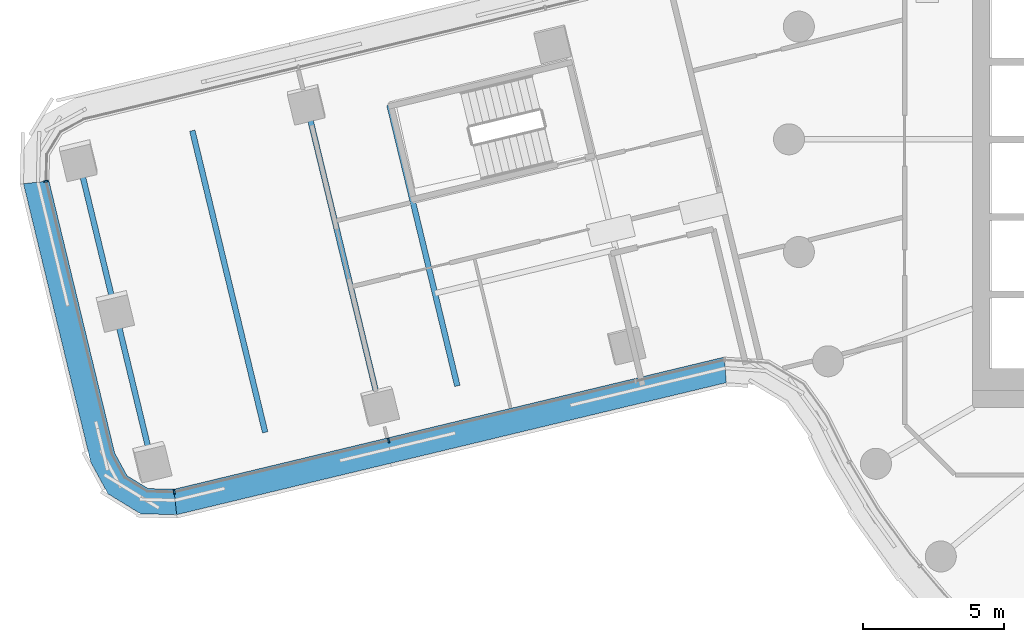
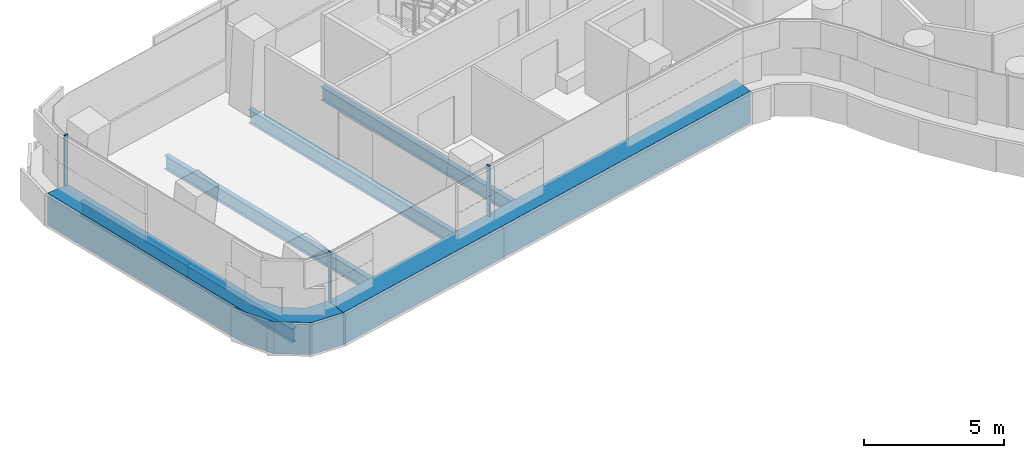
# One storey, part 4 of 33: 5 beams, 5 members, 2 elements without a shape of their own.
"""IFC4 building model written with IfcOpenShell, lengths in metres."""

import ifcopenshell
import ifcopenshell.guid

model = None  # the IFC model being written
_history = None  # IfcOwnerHistory: only IFC2X3 demands one
_inside = {}  # id of a spatial element -> (the spatial element, [elements in it])
_under = {}  # id of a project, library or spatial element -> (it, [spatial elements below it])
_declared = {}  # id of a project -> (the project, [libraries it declares])
_typed = {}  # id of a type object -> (the type object, [elements of that type])
_made_of = {}  # id of a material, layer set ... -> (it, [elements and type objects made of it])


def new_model(schema):
    """Start an empty IFC model of exactly this schema.

    Asked for "IFC4X3", IfcOpenShell would pick the latest addendum, in which some entities
    have other attributes; the version numbers below select the first issue.
    IFC2X3 requires an IfcOwnerHistory on every rooted entity: one is made here for all.
    """
    global model, _history
    if schema == "IFC4X3":
        model = ifcopenshell.file(schema_version=(4, 3, 0, 0))
    else:
        model = ifcopenshell.file(schema=schema)
    _inside.clear()
    _under.clear()
    _declared.clear()
    _typed.clear()
    _made_of.clear()
    _history = None
    if model.schema == "IFC2X3":
        org = make("IfcOrganization", Name="unknown")
        user = make(
            "IfcPersonAndOrganization",
            ThePerson=make("IfcPerson", FamilyName="unknown"),
            TheOrganization=org,
        )
        app = make(
            "IfcApplication",
            ApplicationDeveloper=org,
            Version="unknown",
            ApplicationFullName="unknown",
            ApplicationIdentifier="unknown",
        )
        _history = make(
            "IfcOwnerHistory",
            OwningUser=user,
            OwningApplication=app,
            ChangeAction="ADDED",
            CreationDate=0,
        )
    return model


def make(cls, **values):
    """One entity of the class cls with the attributes given. An attribute that is None is left unset."""
    return model.create_entity(
        cls, **{name: value for name, value in values.items() if value is not None}
    )


def rooted(cls, **values):
    """An entity with a GlobalId (a new one), such as an element, a storey or a relation."""
    return make(cls, GlobalId=ifcopenshell.guid.new(), OwnerHistory=_history, **values)


def si_unit(unit_type, name, prefix=None):
    """IfcSIUnit, for example si_unit("LENGTHUNIT", "METRE", prefix="MILLI")."""
    return make("IfcSIUnit", UnitType=unit_type, Prefix=prefix, Name=name)


def assignment(units):
    """IfcUnitAssignment: the units of a project."""
    return None if units is None else make("IfcUnitAssignment", Units=units)


def point(xyz):
    """IfcCartesianPoint."""
    return None if xyz is None else make("IfcCartesianPoint", Coordinates=xyz)


def direction(xyz):
    """IfcDirection."""
    return None if xyz is None else make("IfcDirection", DirectionRatios=xyz)


def frame(location, z_axis=None, x_axis=None):
    """IfcAxis2Placement3D, a coordinate frame: its origin and axes. An axis left out is left unset."""
    return make(
        "IfcAxis2Placement3D",
        Location=point(location),
        Axis=direction(z_axis),
        RefDirection=direction(x_axis),
    )


def frame_2d(location, x_axis=None):
    """IfcAxis2Placement2D, a coordinate frame in the plane: its origin and x axis."""
    return make(
        "IfcAxis2Placement2D", Location=point(location), RefDirection=direction(x_axis)
    )


def origin():
    """The frame at (0, 0, 0) with its axes left unset."""
    return frame((0.0, 0.0, 0.0))


def origin_2d():
    """The frame at (0, 0) in the plane with its x axis left unset."""
    return frame_2d((0.0, 0.0))


def place(relative_to, where):
    """IfcLocalPlacement: puts the frame where relative to a parent placement (None: the world)."""
    return make(
        "IfcLocalPlacement", PlacementRelTo=relative_to, RelativePlacement=where
    )


def context(
    kind, dimensions, precision=None, world=None, true_north=None, identifier=None
):
    """IfcGeometricRepresentationContext, for example the 3D "Model" context."""
    return make(
        "IfcGeometricRepresentationContext",
        ContextIdentifier=identifier,
        ContextType=kind,
        CoordinateSpaceDimension=dimensions,
        Precision=precision,
        WorldCoordinateSystem=world,
        TrueNorth=true_north,
    )


def subcontext(parent, identifier, kind, view, scale=None):
    """IfcGeometricRepresentationSubContext, for example "Body" below "Model"."""
    return make(
        "IfcGeometricRepresentationSubContext",
        ContextIdentifier=identifier,
        ContextType=kind,
        ParentContext=parent,
        TargetScale=scale,
        TargetView=view,
    )


def project(units=None, contexts=None):
    """IfcProject with its units and contexts."""
    return rooted(
        "IfcProject",
        Name="project",
        RepresentationContexts=contexts,
        UnitsInContext=assignment(units),
    )


def spatial(cls, under=None, at=None, **own):
    """A site, building, storey or space (cls), placed at a placement, below another one or the project."""
    s = rooted(cls, ObjectPlacement=at, **own)
    if under is not None:
        _under.setdefault(under.id(), (under, []))[1].append(s)
    return s


def polyline(points):
    """IfcPolyline through the points."""
    return make("IfcPolyline", Points=[point(p) for p in points])


def profile(cls, at=None, kind="AREA", **sizes):
    """A parametric profile (cls). Its sizes go by their IFC names, for example OverallWidth=200.0."""
    return make(cls, ProfileType=kind, Position=at, **sizes)


def rectangle(**sizes):
    """IfcRectangleProfileDef."""
    return profile("IfcRectangleProfileDef", **sizes)


def i_section(**sizes):
    """IfcIShapeProfileDef."""
    return profile("IfcIShapeProfileDef", **sizes)


def outline(outer, holes=None, kind="AREA"):
    """IfcArbitraryClosedProfileDef: a profile drawn as a closed curve; with holes, ...WithVoids."""
    if holes is None:
        return make("IfcArbitraryClosedProfileDef", ProfileType=kind, OuterCurve=outer)
    return make(
        "IfcArbitraryProfileDefWithVoids",
        ProfileType=kind,
        OuterCurve=outer,
        InnerCurves=holes,
    )


def extrude(swept, where, along, depth):
    """IfcExtrudedAreaSolid: the profile swept, set in the frame where, extruded along a direction by depth."""
    return make(
        "IfcExtrudedAreaSolid",
        SweptArea=swept,
        Position=where,
        ExtrudedDirection=direction(along),
        Depth=depth,
    )


def shape(context_of_items, identifier, shape_type, items):
    """IfcShapeRepresentation: the items that make up one representation, for example the "Body"."""
    return make(
        "IfcShapeRepresentation",
        ContextOfItems=context_of_items,
        RepresentationIdentifier=identifier,
        RepresentationType=shape_type,
        Items=items,
    )


def material(Name=None, Category=None):
    """IfcMaterial."""
    return make("IfcMaterial", Name=Name, Category=Category)


def layer(
    of_material, thickness, ventilated=None, Name=None, Category=None, Priority=None
):
    """IfcMaterialLayer: one layer of a wall or slab, of a material (None: an air gap)."""
    return make(
        "IfcMaterialLayer",
        Material=of_material,
        LayerThickness=thickness,
        IsVentilated=ventilated,
        Name=Name,
        Category=Category,
        Priority=Priority,
    )


def layer_set(layers, Name=None):
    """IfcMaterialLayerSet."""
    return make("IfcMaterialLayerSet", MaterialLayers=layers, LayerSetName=Name)


def material_profile(
    of_material, cross_section, Name=None, Category=None, Priority=None
):
    """IfcMaterialProfile: a cross section and its material."""
    return make(
        "IfcMaterialProfile",
        Name=Name,
        Material=of_material,
        Profile=cross_section,
        Priority=Priority,
        Category=Category,
    )


def profile_set(profiles, Name=None, composite=None):
    """IfcMaterialProfileSet."""
    return make(
        "IfcMaterialProfileSet",
        Name=Name,
        MaterialProfiles=profiles,
        CompositeProfile=composite,
    )


def made_of(thing, what):
    """Note that an element or type object is made of a material, layer set ...; save() writes the relation."""
    if what is not None:
        _made_of.setdefault(what.id(), (what, []))[1].append(thing)
    return thing


def type_object(cls, material=None, **own):
    """A type object (cls), such as IfcWallType, which elements share."""
    return made_of(rooted(cls, **own), material)


def element(
    cls,
    number,
    at=None,
    inside=None,
    cuts=None,
    type_object=None,
    material=None,
    context=None,
    identifier="Body",
    shape_type=None,
    held_by="IfcProductDefinitionShape",
    body=None,
    shapes=None,
    **own,
):
    """One element of the class cls, such as IfcWall. Its Tag is "e" and its number.

    at: its placement. inside: the storey or other place that contains it. cuts: it is an
    opening in that element (IfcRelVoidsElement). A single representation is given by context,
    identifier, shape_type and body (its items); several are given by shapes. held_by: the class
    of the entity that holds the representations. save() writes the other relations.
    """
    e = rooted(cls, Tag="e%d" % number, ObjectPlacement=at, **own)
    if body is not None:
        shapes = [shape(context, identifier, shape_type, body)]
    if shapes is not None:
        e.Representation = make(held_by, Representations=shapes)
    if inside is not None:
        _inside.setdefault(inside.id(), (inside, []))[1].append(e)
    if cuts is not None:
        rooted(
            "IfcRelVoidsElement", RelatingBuildingElement=cuts, RelatedOpeningElement=e
        )
    if type_object is not None:
        _typed.setdefault(type_object.id(), (type_object, []))[1].append(e)
    return made_of(e, material)


def aggregate(whole, parts):
    """IfcRelAggregates: a whole, such as a stair, and the parts it consists of."""
    return rooted("IfcRelAggregates", RelatingObject=whole, RelatedObjects=parts)


def save(model, path):
    """Write the relations noted so far, then the file.

    IfcRelAggregates (storeys below a building ...), IfcRelContainedInSpatialStructure (elements
    in a storey), IfcRelDefinesByType, IfcRelAssociatesMaterial and IfcRelDeclares: one each for
    every whole, place, type object, material and project.
    """
    for whole, parts in _under.values():
        aggregate(whole, parts)
    for where, things in _inside.values():
        rooted(
            "IfcRelContainedInSpatialStructure",
            RelatedElements=things,
            RelatingStructure=where,
        )
    for kind, things in _typed.values():
        rooted("IfcRelDefinesByType", RelatedObjects=things, RelatingType=kind)
    for what, things in _made_of.values():
        rooted("IfcRelAssociatesMaterial", RelatedObjects=things, RelatingMaterial=what)
    for by, libraries in _declared.values():
        rooted("IfcRelDeclares", RelatingContext=by, RelatedDefinitions=libraries)
    model.write(path)


model = new_model("IFC4")

# Units and contexts
model_context = context("Model", 3, precision=1e-05, world=origin(), true_north=direction((0.0, 1.0)))
body_context = subcontext(model_context, "Body", "Model", "MODEL_VIEW")
ifc_project = project(units=[si_unit("LENGTHUNIT", "METRE"), si_unit("AREAUNIT", "SQUARE_METRE"), si_unit("VOLUMEUNIT", "CUBIC_METRE"), si_unit("PLANEANGLEUNIT", "RADIAN"), si_unit("MASSUNIT", "GRAM", prefix="KILO")], contexts=[model_context])

# Site, building, storey
site_placement = place(None, origin())
site = spatial("IfcSite", under=ifc_project, at=site_placement, CompositionType="ELEMENT")
building_placement = place(site_placement, origin())
building = spatial("IfcBuilding", under=site, at=building_placement, Name="Tamarind Cross Interchange Tower", CompositionType="ELEMENT")
storey_placement = place(building_placement, frame((0.0, 0.0, 83.5)))
storey = spatial("IfcBuildingStorey", under=building, at=storey_placement, Name="L19", CompositionType="ELEMENT", Elevation=83.5)

# Beams
ifc_material_1 = material(Name="Steel Q355B", Category="steel")
ifc_material_profile_1 = material_profile(ifc_material_1, i_section(OverallWidth=0.199951171875, OverallDepth=0.60009765625, WebThickness=0.010986328125, FlangeThickness=0.01708984375, FilletRadius=0.012939453125, at=origin_2d()), Name="HN 600x200x11x17")
ifc_profile_set_1 = profile_set([ifc_material_profile_1], Name="Steel Q355B")
beam_type = type_object("IfcBeamType", Name="Composite beam HN 600x200x11x17 Q355B", PredefinedType="BEAM", material=ifc_profile_set_1)
for number, where, z_axis, x_axis, name in (
    (1, (-48.187744140625, -0.668701171875, -0.43994140625), (0.234819882203, -0.972038899902, 0.0), (0.972038899902, 0.234819882203, 0.0), "Beam W-tip0"),
    (2, (-46.896240234375, -6.014892578125, -0.43994140625), (0.234861823291, -0.972028767044, 0.0), (0.972028767044, 0.234861823291, 0.0), "Beam W-tip1"),
):
    element("IfcBeam", number, at=place(storey_placement, frame(where, z_axis=z_axis, x_axis=x_axis)), inside=storey, type_object=beam_type, Name=name, PredefinedType="BEAM", context=body_context, shape_type="SweptSolid", body=[
        extrude(i_section(OverallWidth=0.199951171875, OverallDepth=0.60009765625, WebThickness=0.010986328125, FlangeThickness=0.01708984375, FilletRadius=0.012939453125, at=origin_2d()), origin(), (0.0, 0.0, 1.0), 5.5),
    ])
beam_placement = place(storey_placement, frame((-37.161376953125, 1.2236328125, -0.43994140625), z_axis=(0.23485007663, -0.9720316052, 0.0), x_axis=(0.9720316052, 0.23485007663, 0.0)))
element("IfcBeam", 3, at=beam_placement, inside=storey, type_object=beam_type, Name="Beam W-x364", PredefinedType="BEAM", context=body_context, shape_type="SweptSolid", body=[
    extrude(i_section(OverallWidth=0.199951171875, OverallDepth=0.60009765625, WebThickness=0.010986328125, FlangeThickness=0.01708984375, FilletRadius=0.012939453125, at=origin_2d()), origin(), (0.0, 0.0, 1.0), 10.25),
])
for number, where, z_axis, x_axis, name in (
    (4, (-40.10791015625, 1.283447265625, -0.43994140625), (0.234861823291, -0.972028767044, 0.0), (0.972028767044, 0.234861823291, 0.0), "Beam W-x393"),
    (5, (-44.147705078125, 0.307373046875, -0.43994140625), (0.234840852911, -0.972033833672, 0.0), (0.972033833672, 0.234840852911, 0.0), "Beam W-x435"),
):
    element("IfcBeam", number, at=place(storey_placement, frame(where, z_axis=z_axis, x_axis=x_axis)), inside=storey, type_object=beam_type, Name=name, PredefinedType="BEAM", context=body_context, shape_type="SweptSolid", body=[
        extrude(i_section(OverallWidth=0.199951171875, OverallDepth=0.60009765625, WebThickness=0.010986328125, FlangeThickness=0.01708984375, FilletRadius=0.012939453125, at=origin_2d()), origin(), (0.0, 0.0, 1.0), 11.0),
    ])

# Curtain wall, member
ifc_material_2 = material(Name="Aluminium 6063-T6", Category="aluminium")
ifc_layer = layer(ifc_material_2, 0.159912109375)
ifc_layer_set = layer_set([ifc_layer], Name="Aluminium 6063-T6")
curtain_wall_type = type_object("IfcCurtainWallType", Name="Office curtain wall, 9.0 m bays", PredefinedType="NOTDEFINED", material=ifc_layer_set)
curtain_wall_1_placement = place(storey_placement, origin())
curtain_wall_1 = element("IfcCurtainWall", 6, at=curtain_wall_1_placement, inside=storey, type_object=curtain_wall_type, Name="CWS-L19-04", PredefinedType="NOTDEFINED")
ifc_material_3 = material(Name="Aluminium and insulated spandrel panel", Category="aluminium")
member_type_1 = type_object("IfcMemberType", Name="Floor-edge blade transom", PredefinedType="USERDEFINED", material=ifc_material_3)
member_1_placement = place(storey_placement, origin())
member_1 = element("IfcMember", 7, at=member_1_placement, type_object=member_type_1, Name="CWT-L19-04", ObjectType="TRANSOM", PredefinedType="USERDEFINED", context=body_context, shape_type="SweptSolid", body=[
    extrude(outline(polyline([(-49.2275390625, -1.474853515625), (-46.897705078125, -11.118408203125), (-46.459716796875, -11.92236328125), (-45.71337890625, -12.378173828125), (-44.798095703125, -12.40087890625), (-44.702392578125, -13.303466796875), (-45.976806640625, -13.27197265625), (-47.134521484375, -12.564697265625), (-47.74462890625, -11.445068359375), (-50.130126953125, -1.571044921875), (-49.2275390625, -1.474853515625)])), origin(), (0.0, 0.0, 1.0), 1.39990234375),
])

curtain_wall_2_placement = place(storey_placement, origin())
curtain_wall_2 = element("IfcCurtainWall", 8, at=curtain_wall_2_placement, inside=storey, type_object=curtain_wall_type, Name="CWS-L19-05", PredefinedType="NOTDEFINED")
member_2_placement = place(storey_placement, origin())
member_2 = element("IfcMember", 9, at=member_2_placement, type_object=member_type_1, Name="CWT-L19-05", ObjectType="TRANSOM", PredefinedType="USERDEFINED", context=body_context, shape_type="SweptSolid", body=[
    extrude(outline(polyline([(-44.798095703125, -12.40087890625), (-25.29736328125, -7.717041015625), (-25.22021484375, -8.6240234375), (-44.702392578125, -13.303466796875), (-44.798095703125, -12.40087890625)])), origin(), (0.0, 0.0, 1.0), 1.39990234375),
])

# Member
ifc_material_profile_2 = material_profile(ifc_material_2, rectangle(XDim=0.06005859375, YDim=0.159912109375, at=origin_2d()), Name="Mullion CW1")
ifc_profile_set_2 = profile_set([ifc_material_profile_2], Name="Aluminium 6063-T6")
member_type_2 = type_object("IfcMemberType", Name="Mullion CW1", PredefinedType="MULLION", material=ifc_profile_set_2)
member_3_placement = place(storey_placement, frame((-49.327880859375, -1.485595703125, 1.39990234375), z_axis=(0.0, 0.0, 1.0), x_axis=(0.105958627638, -0.9943705392, 0.0)))
member_3 = element("IfcMember", 10, at=member_3_placement, type_object=member_type_2, Name="CWM-L19-04-00", PredefinedType="MULLION", context=body_context, shape_type="SweptSolid", body=[
    extrude(rectangle(XDim=0.06005859375, YDim=0.159912109375, at=origin_2d()), origin(), (0.0, 0.0, 1.0), 2.210205078125),
])

aggregate(curtain_wall_1, [member_3, member_1])

member_4_placement = place(storey_placement, frame((-44.787353515625, -12.501220703125, 1.39990234375), z_axis=(0.0, 0.0, 1.0), x_axis=(0.994441125247, 0.105294104386, 0.0)))
member_4 = element("IfcMember", 11, at=member_4_placement, type_object=member_type_2, Name="CWM-L19-05-00", PredefinedType="MULLION", context=body_context, shape_type="SweptSolid", body=[
    extrude(rectangle(XDim=0.06005859375, YDim=0.159912109375, at=origin_2d()), origin(), (0.0, 0.0, 1.0), 2.210205078125),
])

member_5_placement = place(storey_placement, frame((-37.189453125, -10.67626953125, 1.39990234375), z_axis=(0.0, 0.0, 1.0), x_axis=(0.972346190764, 0.233544182771, 0.0)))
member_5 = element("IfcMember", 12, at=member_5_placement, type_object=member_type_2, Name="CWM-L19-05-01", PredefinedType="MULLION", context=body_context, shape_type="SweptSolid", body=[
    extrude(rectangle(XDim=0.06005859375, YDim=0.159912109375, at=origin_2d()), origin(), (0.0, 0.0, 1.0), 2.210205078125),
])

aggregate(curtain_wall_2, [member_4, member_5, member_2])

save(model, "model.ifc")
